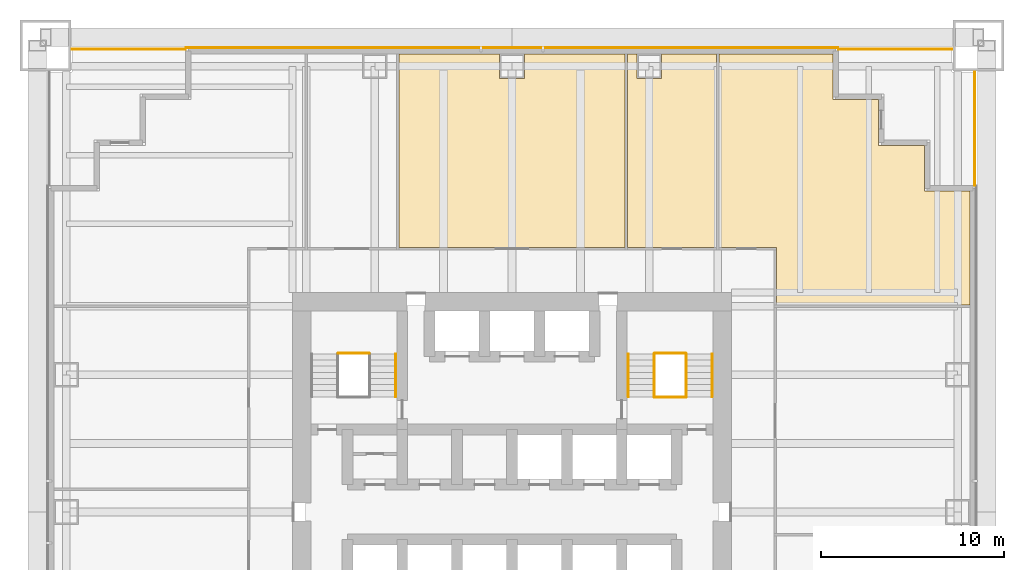
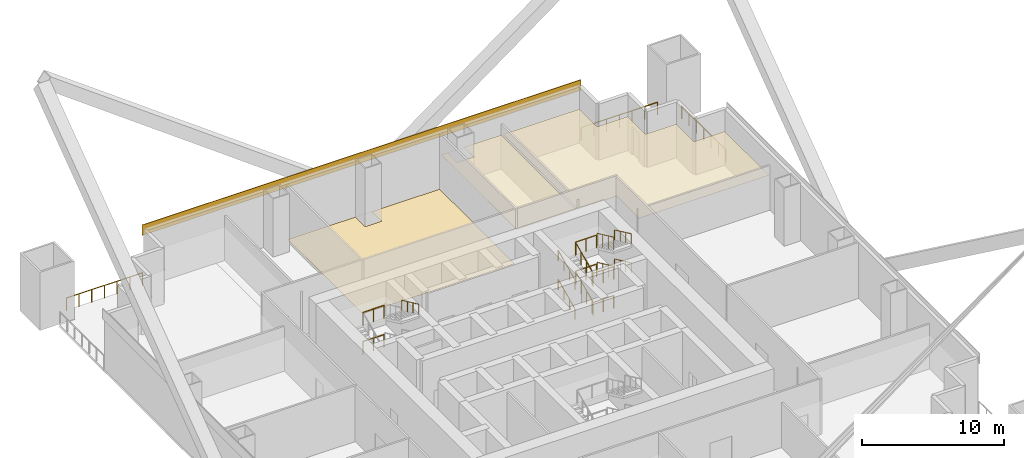
# One storey, part 7 of 7: 18 railings, 4 coverings.
"""IFC4 building model written with IfcOpenShell, lengths in metres."""

from ifc_helpers import new_model, si_unit, direction, frame, origin, origin_2d, place, context, subcontext, project, spatial, polyline, rectangle, circle, outline, extrude, material, layer, layer_set, type_object, element, save


model = new_model("IFC4")

# Units and contexts
model_context = context("Model", 3, precision=1e-05, world=origin(), true_north=direction((0.0, 1.0)))
body_context = subcontext(model_context, "Body", "Model", "MODEL_VIEW")
ifc_project = project(units=[si_unit("LENGTHUNIT", "METRE"), si_unit("AREAUNIT", "SQUARE_METRE"), si_unit("VOLUMEUNIT", "CUBIC_METRE"), si_unit("PLANEANGLEUNIT", "RADIAN"), si_unit("MASSUNIT", "GRAM", prefix="KILO")], contexts=[model_context])

# Site, building, storey
site_placement = place(None, origin())
site = spatial("IfcSite", under=ifc_project, at=site_placement, CompositionType="ELEMENT")
building_placement = place(site_placement, origin())
building = spatial("IfcBuilding", under=site, at=building_placement, Name="Tarangal Relay Tower", CompositionType="ELEMENT")
storey_placement = place(building_placement, frame((0.0, 0.0, 78.39990234375)))
storey = spatial("IfcBuildingStorey", under=building, at=storey_placement, Name="L15", CompositionType="ELEMENT", Elevation=78.39990234375)

# Coverings
ifc_material_1 = material(Name="Anti-static vinyl flooring", Category="plastic")
ifc_layer_1 = layer(ifc_material_1, 0.010009765625)
ifc_layer_set_1 = layer_set([ifc_layer_1], Name="Anti-static vinyl floor")
covering_type_1 = type_object("IfcCoveringType", Name="Anti-static vinyl floor", PredefinedType="FLOORING", material=ifc_layer_set_1)
covering_1_placement = place(storey_placement, origin())
element("IfcCovering", 1, at=covering_1_placement, inside=storey, type_object=covering_type_1, Name="Floor finish FL1 L15-03", PredefinedType="FLOORING", context=body_context, shape_type="SweptSolid", body=[
    extrude(outline(polyline([(6.175048828125, 25.050048828125), (-6.175048828125, 25.050048828125), (-6.175048828125, 14.47509765625), (6.175048828125, 14.47509765625), (6.175048828125, 25.050048828125)]), holes=[polyline([(0.675048828125, 25.0400390625), (-0.675048828125, 25.0400390625), (-0.675048828125, 23.68994140625), (0.675048828125, 23.68994140625), (0.675048828125, 25.0400390625)])]), origin(), (0.0, 0.0, 1.0), 0.010009765625),
])
ifc_material_2 = material(Name="Black anodised aluminium cladding", Category="aluminium")
ifc_layer_2 = layer(ifc_material_2, 0.050048828125)
ifc_layer_set_2 = layer_set([ifc_layer_2], Name="Black metal spandrel band")
covering_type_2 = type_object("IfcCoveringType", Name="Black metal spandrel band", PredefinedType="CLADDING", material=ifc_layer_set_2)
covering_2_placement = place(storey_placement, frame((0.0, 25.375, 4.250244140625), z_axis=(0.0, 0.0, 1.0), x_axis=(1.0, 0.0, 0.0)))
element("IfcCovering", 2, at=covering_2_placement, inside=storey, type_object=covering_type_2, Name="Spandrel band SB1 N L15", PredefinedType="CLADDING", context=body_context, shape_type="SweptSolid", body=[
    extrude(rectangle(XDim=35.699951171875, YDim=0.050048828125, at=origin_2d()), origin(), (0.0, 0.0, 1.0), 0.89990234375),
])

# Railings
ifc_material_3 = material(Name="Steel guard, black finish", Category="steel")
railing_type_1 = type_object("IfcRailingType", Name="Stair guard 1100", PredefinedType="GUARDRAIL", material=ifc_material_3)
for number, where, name in (
    (3, (-9.5, 8.675048828125, 1.25), "Stair ST-A landing guard GR1 L15"),
    (4, (-9.5, 8.675048828125, 3.75), "Stair ST-A landing guard GR1 L15"),
):
    element("IfcRailing", number, at=place(storey_placement, frame(where)), inside=storey, type_object=railing_type_1, Name=name, PredefinedType="GUARDRAIL", context=body_context, shape_type="SweptSolid", body=[
        extrude(circle(Radius=0.02392578125, at=origin_2d()), frame((0.0, 0.0, 1.076171875), z_axis=(1.0, 0.0, 0.0), x_axis=(0.0, 1.0, 0.0)), (0.0, 0.0, 1.0), 1.699951171875),
        extrude(circle(Radius=0.02099609375, at=origin_2d()), origin(), (0.0, 0.0, 1.0), 1.052001953125),
        extrude(circle(Radius=0.02099609375, at=origin_2d()), frame((0.85009765625, 0.0, 0.0)), (0.0, 0.0, 1.0), 1.052001953125),
        extrude(circle(Radius=0.02099609375, at=origin_2d()), frame((1.699951171875, 0.0, 0.0)), (0.0, 0.0, 1.0), 1.052001953125),
    ])
railing_1_placement = place(storey_placement, frame((7.77001953125, 6.300048828125, 0.156494140625)))
element("IfcRailing", 5, at=railing_1_placement, inside=storey, type_object=railing_type_1, Name="Stair ST-B guard GR1 L15 flight 1", PredefinedType="GUARDRAIL", context=body_context, shape_type="SweptSolid", body=[
    extrude(circle(Radius=0.02392578125, at=origin_2d()), frame((0.0, 0.0, 1.076171875), z_axis=(0.0, 0.906303632821, 0.42262717037), x_axis=(-1.0, 0.0, 0.0)), (0.0, 0.0, 1.0), 2.58740234375),
    extrude(circle(Radius=0.02099609375, at=origin_2d()), origin(), (0.0, 0.0, 1.0), 1.052001953125),
    extrude(circle(Radius=0.02099609375, at=origin_2d()), frame((0.0, 0.78173828125, 0.364501953125)), (0.0, 0.0, 1.0), 1.052001953125),
    extrude(circle(Radius=0.02099609375, at=origin_2d()), frame((0.0, 1.563232421875, 0.72900390625)), (0.0, 0.0, 1.0), 1.052001953125),
    extrude(circle(Radius=0.02099609375, at=origin_2d()), frame((0.0, 2.344970703125, 1.093505859375)), (0.0, 0.0, 1.0), 1.052001953125),
])
railing_2_placement = place(storey_placement, frame((9.530029296875, 8.64501953125, 1.406494140625)))
element("IfcRailing", 6, at=railing_2_placement, inside=storey, type_object=railing_type_1, Name="Stair ST-B guard GR1 L15 flight 2", PredefinedType="GUARDRAIL", context=body_context, shape_type="SweptSolid", body=[
    extrude(circle(Radius=0.02392578125, at=origin_2d()), frame((0.0, 0.0, 1.076171875), z_axis=(0.0, -0.906303632821, 0.42262717037), x_axis=(1.0, 0.0, 0.0)), (0.0, 0.0, 1.0), 2.58740234375),
    extrude(circle(Radius=0.02099609375, at=origin_2d()), origin(), (0.0, 0.0, 1.0), 1.052001953125),
    extrude(circle(Radius=0.02099609375, at=origin_2d()), frame((0.0, -0.78173828125, 0.364501953125)), (0.0, 0.0, 1.0), 1.052001953125),
    extrude(circle(Radius=0.02099609375, at=origin_2d()), frame((0.0, -1.563232421875, 0.72900390625)), (0.0, 0.0, 1.0), 1.052001953125),
    extrude(circle(Radius=0.02099609375, at=origin_2d()), frame((0.0, -2.344970703125, 1.093505859375)), (0.0, 0.0, 1.0), 1.052001953125),
])
railing_3_placement = place(storey_placement, frame((7.77001953125, 6.300048828125, 2.656494140625)))
element("IfcRailing", 7, at=railing_3_placement, inside=storey, type_object=railing_type_1, Name="Stair ST-B guard GR1 L15 flight 3", PredefinedType="GUARDRAIL", context=body_context, shape_type="SweptSolid", body=[
    extrude(circle(Radius=0.02392578125, at=origin_2d()), frame((0.0, 0.0, 1.076171875), z_axis=(0.0, 0.906303632821, 0.42262717037), x_axis=(-1.0, 0.0, 0.0)), (0.0, 0.0, 1.0), 2.58740234375),
    extrude(circle(Radius=0.02099609375, at=origin_2d()), origin(), (0.0, 0.0, 1.0), 1.052001953125),
    extrude(circle(Radius=0.02099609375, at=origin_2d()), frame((0.0, 0.78173828125, 0.364501953125)), (0.0, 0.0, 1.0), 1.052001953125),
    extrude(circle(Radius=0.02099609375, at=origin_2d()), frame((0.0, 1.563232421875, 0.72900390625)), (0.0, 0.0, 1.0), 1.052001953125),
    extrude(circle(Radius=0.02099609375, at=origin_2d()), frame((0.0, 2.344970703125, 1.093505859375)), (0.0, 0.0, 1.0), 1.052001953125),
])
railing_4_placement = place(storey_placement, frame((9.530029296875, 8.64501953125, 3.906494140625)))
element("IfcRailing", 8, at=railing_4_placement, inside=storey, type_object=railing_type_1, Name="Stair ST-B guard GR1 L15 flight 4", PredefinedType="GUARDRAIL", context=body_context, shape_type="SweptSolid", body=[
    extrude(circle(Radius=0.02392578125, at=origin_2d()), frame((0.0, 0.0, 1.076171875), z_axis=(0.0, -0.906303632821, 0.42262717037), x_axis=(1.0, 0.0, 0.0)), (0.0, 0.0, 1.0), 2.58740234375),
    extrude(circle(Radius=0.02099609375, at=origin_2d()), origin(), (0.0, 0.0, 1.0), 1.052001953125),
    extrude(circle(Radius=0.02099609375, at=origin_2d()), frame((0.0, -0.78173828125, 0.364501953125)), (0.0, 0.0, 1.0), 1.052001953125),
    extrude(circle(Radius=0.02099609375, at=origin_2d()), frame((0.0, -1.563232421875, 0.72900390625)), (0.0, 0.0, 1.0), 1.052001953125),
    extrude(circle(Radius=0.02099609375, at=origin_2d()), frame((0.0, -2.344970703125, 1.093505859375)), (0.0, 0.0, 1.0), 1.052001953125),
])
for number, where, name in (
    (9, (7.800048828125, 6.27001953125, 0.0), "Stair ST-B landing guard GR1 L15"),
    (10, (7.800048828125, 8.675048828125, 1.25), "Stair ST-B landing guard GR1 L15"),
    (11, (7.800048828125, 6.27001953125, 2.5), "Stair ST-B landing guard GR1 L15"),
    (12, (7.800048828125, 8.675048828125, 3.75), "Stair ST-B landing guard GR1 L15"),
):
    element("IfcRailing", number, at=place(storey_placement, frame(where)), inside=storey, type_object=railing_type_1, Name=name, PredefinedType="GUARDRAIL", context=body_context, shape_type="SweptSolid", body=[
        extrude(circle(Radius=0.02392578125, at=origin_2d()), frame((0.0, 0.0, 1.076171875), z_axis=(1.0, 0.0, 0.0), x_axis=(0.0, 1.0, 0.0)), (0.0, 0.0, 1.0), 1.699951171875),
        extrude(circle(Radius=0.02099609375, at=origin_2d()), origin(), (0.0, 0.0, 1.0), 1.052001953125),
        extrude(circle(Radius=0.02099609375, at=origin_2d()), frame((0.85009765625, 0.0, 0.0)), (0.0, 0.0, 1.0), 1.052001953125),
        extrude(circle(Radius=0.02099609375, at=origin_2d()), frame((1.699951171875, 0.0, 0.0)), (0.0, 0.0, 1.0), 1.052001953125),
    ])
ifc_material_4 = material(Name="Steel handrail, black finish", Category="steel")
railing_type_2 = type_object("IfcRailingType", Name="Stair handrail 900", PredefinedType="HANDRAIL", material=ifc_material_4)
railing_5_placement = place(storey_placement, frame((-6.360107421875, 8.64501953125, 3.906494140625)))
element("IfcRailing", 13, at=railing_5_placement, inside=storey, type_object=railing_type_2, Name="Stair ST-A handrail HR1 L15 flight 4", PredefinedType="HANDRAIL", context=body_context, shape_type="SweptSolid", body=[
    extrude(circle(Radius=0.02392578125, at=origin_2d()), frame((0.0, 0.0, 0.8759765625), z_axis=(0.0, -0.906303632821, 0.42262717037), x_axis=(1.0, 0.0, 0.0)), (0.0, 0.0, 1.0), 2.58740234375),
    extrude(circle(Radius=0.02099609375, at=origin_2d()), origin(), (0.0, 0.0, 1.0), 0.851806640625),
    extrude(circle(Radius=0.02099609375, at=origin_2d()), frame((0.0, -0.78173828125, 0.364501953125)), (0.0, 0.0, 1.0), 0.851806640625),
    extrude(circle(Radius=0.02099609375, at=origin_2d()), frame((0.0, -1.563232421875, 0.72900390625)), (0.0, 0.0, 1.0), 0.851806640625),
    extrude(circle(Radius=0.02099609375, at=origin_2d()), frame((0.0, -2.344970703125, 1.093505859375)), (0.0, 0.0, 1.0), 0.851806640625),
])
railing_6_placement = place(storey_placement, frame((6.360107421875, 6.300048828125, 0.156494140625)))
element("IfcRailing", 14, at=railing_6_placement, inside=storey, type_object=railing_type_2, Name="Stair ST-B handrail HR1 L15 flight 1", PredefinedType="HANDRAIL", context=body_context, shape_type="SweptSolid", body=[
    extrude(circle(Radius=0.02392578125, at=origin_2d()), frame((0.0, 0.0, 0.8759765625), z_axis=(0.0, 0.906303632821, 0.42262717037), x_axis=(-1.0, 0.0, 0.0)), (0.0, 0.0, 1.0), 2.58740234375),
    extrude(circle(Radius=0.02099609375, at=origin_2d()), origin(), (0.0, 0.0, 1.0), 0.851806640625),
    extrude(circle(Radius=0.02099609375, at=origin_2d()), frame((0.0, 0.78173828125, 0.364501953125)), (0.0, 0.0, 1.0), 0.851806640625),
    extrude(circle(Radius=0.02099609375, at=origin_2d()), frame((0.0, 1.563232421875, 0.72900390625)), (0.0, 0.0, 1.0), 0.851806640625),
    extrude(circle(Radius=0.02099609375, at=origin_2d()), frame((0.0, 2.344970703125, 1.093505859375)), (0.0, 0.0, 1.0), 0.851806640625),
])
railing_7_placement = place(storey_placement, frame((10.93994140625, 8.64501953125, 1.406494140625)))
element("IfcRailing", 15, at=railing_7_placement, inside=storey, type_object=railing_type_2, Name="Stair ST-B handrail HR1 L15 flight 2", PredefinedType="HANDRAIL", context=body_context, shape_type="SweptSolid", body=[
    extrude(circle(Radius=0.02392578125, at=origin_2d()), frame((0.0, 0.0, 0.8759765625), z_axis=(0.0, -0.906303632821, 0.42262717037), x_axis=(1.0, 0.0, 0.0)), (0.0, 0.0, 1.0), 2.58740234375),
    extrude(circle(Radius=0.02099609375, at=origin_2d()), origin(), (0.0, 0.0, 1.0), 0.851806640625),
    extrude(circle(Radius=0.02099609375, at=origin_2d()), frame((0.0, -0.78173828125, 0.364501953125)), (0.0, 0.0, 1.0), 0.851806640625),
    extrude(circle(Radius=0.02099609375, at=origin_2d()), frame((0.0, -1.563232421875, 0.72900390625)), (0.0, 0.0, 1.0), 0.851806640625),
    extrude(circle(Radius=0.02099609375, at=origin_2d()), frame((0.0, -2.344970703125, 1.093505859375)), (0.0, 0.0, 1.0), 0.851806640625),
])
railing_8_placement = place(storey_placement, frame((6.360107421875, 6.300048828125, 2.656494140625)))
element("IfcRailing", 16, at=railing_8_placement, inside=storey, type_object=railing_type_2, Name="Stair ST-B handrail HR1 L15 flight 3", PredefinedType="HANDRAIL", context=body_context, shape_type="SweptSolid", body=[
    extrude(circle(Radius=0.02392578125, at=origin_2d()), frame((0.0, 0.0, 0.8759765625), z_axis=(0.0, 0.906303632821, 0.42262717037), x_axis=(-1.0, 0.0, 0.0)), (0.0, 0.0, 1.0), 2.58740234375),
    extrude(circle(Radius=0.02099609375, at=origin_2d()), origin(), (0.0, 0.0, 1.0), 0.851806640625),
    extrude(circle(Radius=0.02099609375, at=origin_2d()), frame((0.0, 0.78173828125, 0.364501953125)), (0.0, 0.0, 1.0), 0.851806640625),
    extrude(circle(Radius=0.02099609375, at=origin_2d()), frame((0.0, 1.563232421875, 0.72900390625)), (0.0, 0.0, 1.0), 0.851806640625),
    extrude(circle(Radius=0.02099609375, at=origin_2d()), frame((0.0, 2.344970703125, 1.093505859375)), (0.0, 0.0, 1.0), 0.851806640625),
])
railing_9_placement = place(storey_placement, frame((10.93994140625, 8.64501953125, 3.906494140625)))
element("IfcRailing", 17, at=railing_9_placement, inside=storey, type_object=railing_type_2, Name="Stair ST-B handrail HR1 L15 flight 4", PredefinedType="HANDRAIL", context=body_context, shape_type="SweptSolid", body=[
    extrude(circle(Radius=0.02392578125, at=origin_2d()), frame((0.0, 0.0, 0.8759765625), z_axis=(0.0, -0.906303632821, 0.42262717037), x_axis=(1.0, 0.0, 0.0)), (0.0, 0.0, 1.0), 2.58740234375),
    extrude(circle(Radius=0.02099609375, at=origin_2d()), origin(), (0.0, 0.0, 1.0), 0.851806640625),
    extrude(circle(Radius=0.02099609375, at=origin_2d()), frame((0.0, -0.78173828125, 0.364501953125)), (0.0, 0.0, 1.0), 0.851806640625),
    extrude(circle(Radius=0.02099609375, at=origin_2d()), frame((0.0, -1.563232421875, 0.72900390625)), (0.0, 0.0, 1.0), 0.851806640625),
    extrude(circle(Radius=0.02099609375, at=origin_2d()), frame((0.0, -2.344970703125, 1.093505859375)), (0.0, 0.0, 1.0), 0.851806640625),
])

# Coverings
ifc_material_5 = material(Name="Mineral fibre ceiling tiles", Category="gypsum")
ifc_layer_3 = layer(ifc_material_5, 0.02001953125)
ifc_layer_set_3 = layer_set([ifc_layer_3], Name="Suspended ceiling")
covering_type_3 = type_object("IfcCoveringType", Name="Suspended ceiling", PredefinedType="CEILING", material=ifc_layer_set_3)
covering_3_placement = place(storey_placement, frame((0.0, 0.0, 2.900146484375)))
element("IfcCovering", 18, at=covering_3_placement, inside=storey, type_object=covering_type_3, Name="Suspended ceiling CL1 L15-04", PredefinedType="CEILING", context=body_context, shape_type="SweptSolid", body=[
    extrude(outline(polyline([(11.175048828125, 25.050048828125), (6.324951171875, 25.050048828125), (6.324951171875, 14.47509765625), (11.175048828125, 14.47509765625), (11.175048828125, 25.050048828125)]), holes=[polyline([(8.175048828125, 25.0400390625), (6.824951171875, 25.0400390625), (6.824951171875, 23.68994140625), (8.175048828125, 23.68994140625), (8.175048828125, 25.0400390625)])]), origin(), (0.0, 0.0, 1.0), 0.02001953125),
])
covering_4_placement = place(storey_placement, frame((0.0, 0.0, 2.900146484375)))
element("IfcCovering", 19, at=covering_4_placement, inside=storey, type_object=covering_type_3, Name="Suspended ceiling CL1 L15-12", PredefinedType="CEILING", context=body_context, shape_type="SweptSolid", body=[
    extrude(outline(polyline([(17.550048828125, 25.050048828125), (11.324951171875, 25.050048828125), (11.324951171875, 14.47509765625), (14.47509765625, 14.47509765625), (14.47509765625, 11.324951171875), (25.050048828125, 11.324951171875), (25.050048828125, 17.550048828125), (22.550048828125, 17.550048828125), (22.550048828125, 20.050048828125), (20.050048828125, 20.050048828125), (20.050048828125, 22.550048828125), (17.550048828125, 22.550048828125), (17.550048828125, 25.050048828125)])), origin(), (0.0, 0.0, 1.0), 0.02001953125),
])

# Railings
ifc_material_6 = material(Name="Black steel guard with glass infill", Category="steel")
railing_type_3 = type_object("IfcRailingType", Name="Terrace guard 1100", PredefinedType="GUARDRAIL", material=ifc_material_6)
railing_10_placement = place(storey_placement, frame((17.85009765625, 25.300048828125, 0.0)))
element("IfcRailing", 20, at=railing_10_placement, inside=storey, type_object=railing_type_3, Name="Terrace guard GR2 NE L15", PredefinedType="GUARDRAIL", context=body_context, shape_type="SweptSolid", body=[
    extrude(circle(Radius=0.02392578125, at=origin_2d()), frame((0.0, 0.0, 1.076171875), z_axis=(1.0, 0.0, 0.0), x_axis=(0.0, 1.0, 0.0)), (0.0, 0.0, 1.0), 6.199951171875),
    extrude(circle(Radius=0.02099609375, at=origin_2d()), origin(), (0.0, 0.0, 1.0), 1.052001953125),
    extrude(circle(Radius=0.02099609375, at=origin_2d()), frame((1.033203125, 0.0, 0.0)), (0.0, 0.0, 1.0), 1.052001953125),
    extrude(circle(Radius=0.02099609375, at=origin_2d()), frame((2.066650390625, 0.0, 0.0)), (0.0, 0.0, 1.0), 1.052001953125),
    extrude(circle(Radius=0.02099609375, at=origin_2d()), frame((3.10009765625, 0.0, 0.0)), (0.0, 0.0, 1.0), 1.052001953125),
    extrude(circle(Radius=0.02099609375, at=origin_2d()), frame((4.13330078125, 0.0, 0.0)), (0.0, 0.0, 1.0), 1.052001953125),
    extrude(circle(Radius=0.02099609375, at=origin_2d()), frame((5.16650390625, 0.0, 0.0)), (0.0, 0.0, 1.0), 1.052001953125),
    extrude(circle(Radius=0.02099609375, at=origin_2d()), frame((6.199951171875, 0.0, 0.0)), (0.0, 0.0, 1.0), 1.052001953125),
])
railing_11_placement = place(storey_placement, frame((25.300048828125, 24.050048828125, 0.0)))
element("IfcRailing", 21, at=railing_11_placement, inside=storey, type_object=railing_type_3, Name="Terrace guard GR2 NE L15", PredefinedType="GUARDRAIL", context=body_context, shape_type="SweptSolid", body=[
    extrude(circle(Radius=0.02392578125, at=origin_2d()), frame((0.0, 0.0, 1.076171875), z_axis=(0.0, -1.0, 0.0), x_axis=(1.0, 0.0, 0.0)), (0.0, 0.0, 1.0), 6.199951171875),
    extrude(circle(Radius=0.02099609375, at=origin_2d()), origin(), (0.0, 0.0, 1.0), 1.052001953125),
    extrude(circle(Radius=0.02099609375, at=origin_2d()), frame((0.0, -1.033203125, 0.0)), (0.0, 0.0, 1.0), 1.052001953125),
    extrude(circle(Radius=0.02099609375, at=origin_2d()), frame((0.0, -2.066650390625, 0.0)), (0.0, 0.0, 1.0), 1.052001953125),
    extrude(circle(Radius=0.02099609375, at=origin_2d()), frame((0.0, -3.10009765625, 0.0)), (0.0, 0.0, 1.0), 1.052001953125),
    extrude(circle(Radius=0.02099609375, at=origin_2d()), frame((0.0, -4.13330078125, 0.0)), (0.0, 0.0, 1.0), 1.052001953125),
    extrude(circle(Radius=0.02099609375, at=origin_2d()), frame((0.0, -5.16650390625, 0.0)), (0.0, 0.0, 1.0), 1.052001953125),
    extrude(circle(Radius=0.02099609375, at=origin_2d()), frame((0.0, -6.199951171875, 0.0)), (0.0, 0.0, 1.0), 1.052001953125),
])
railing_12_placement = place(storey_placement, frame((-24.050048828125, 25.300048828125, 0.0)))
element("IfcRailing", 22, at=railing_12_placement, inside=storey, type_object=railing_type_3, Name="Terrace guard GR2 NW L15", PredefinedType="GUARDRAIL", context=body_context, shape_type="SweptSolid", body=[
    extrude(circle(Radius=0.02392578125, at=origin_2d()), frame((0.0, 0.0, 1.076171875), z_axis=(1.0, 0.0, 0.0), x_axis=(0.0, 1.0, 0.0)), (0.0, 0.0, 1.0), 6.199951171875),
    extrude(circle(Radius=0.02099609375, at=origin_2d()), origin(), (0.0, 0.0, 1.0), 1.052001953125),
    extrude(circle(Radius=0.02099609375, at=origin_2d()), frame((1.033203125, 0.0, 0.0)), (0.0, 0.0, 1.0), 1.052001953125),
    extrude(circle(Radius=0.02099609375, at=origin_2d()), frame((2.066650390625, 0.0, 0.0)), (0.0, 0.0, 1.0), 1.052001953125),
    extrude(circle(Radius=0.02099609375, at=origin_2d()), frame((3.10009765625, 0.0, 0.0)), (0.0, 0.0, 1.0), 1.052001953125),
    extrude(circle(Radius=0.02099609375, at=origin_2d()), frame((4.13330078125, 0.0, 0.0)), (0.0, 0.0, 1.0), 1.052001953125),
    extrude(circle(Radius=0.02099609375, at=origin_2d()), frame((5.16650390625, 0.0, 0.0)), (0.0, 0.0, 1.0), 1.052001953125),
    extrude(circle(Radius=0.02099609375, at=origin_2d()), frame((6.199951171875, 0.0, 0.0)), (0.0, 0.0, 1.0), 1.052001953125),
])

save(model, "model.ifc")
